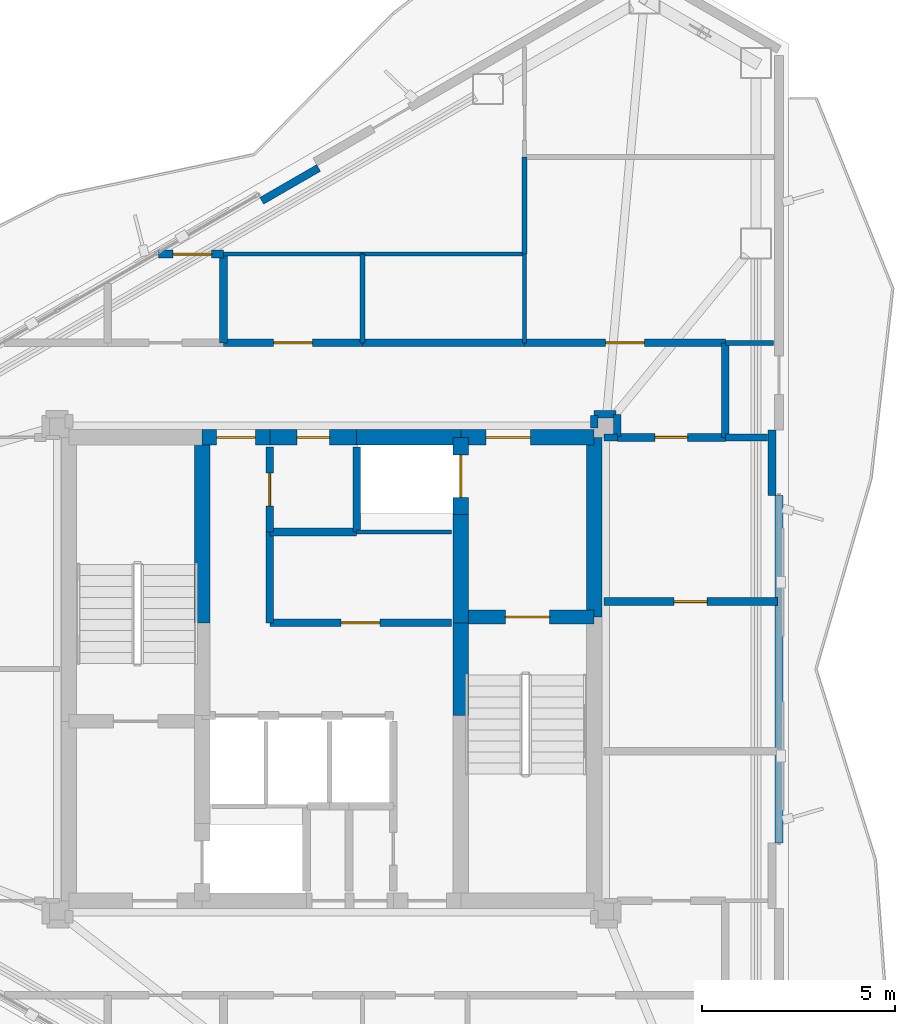
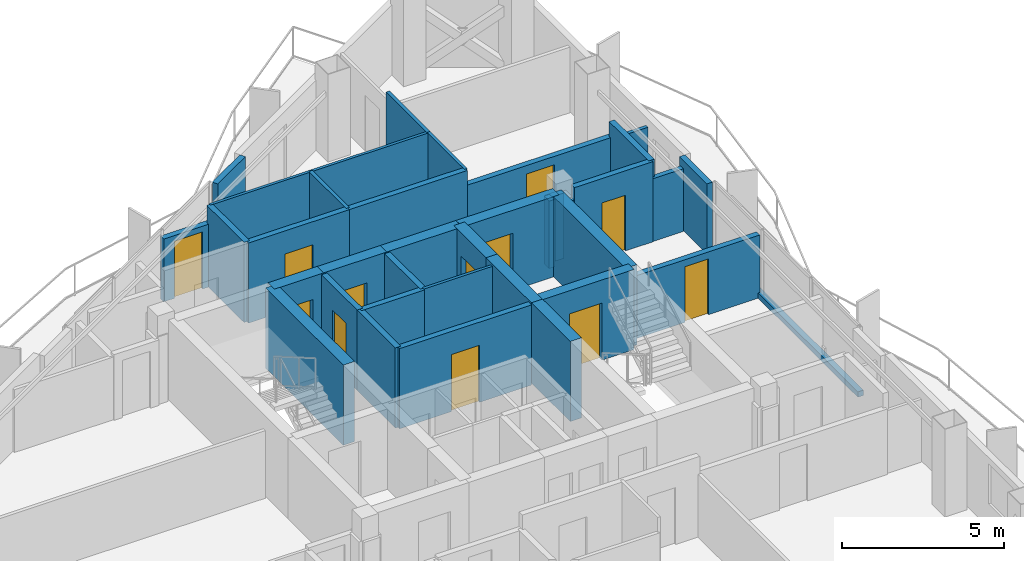
# One storey, part 18 of 21: 38 walls, 12 doors, 12 openings.
"""IFC4 building model written with IfcOpenShell, lengths in metres."""

import ifcopenshell
import ifcopenshell.guid

model = None  # the IFC model being written
_history = None  # IfcOwnerHistory: only IFC2X3 demands one
_inside = {}  # id of a spatial element -> (the spatial element, [elements in it])
_under = {}  # id of a project, library or spatial element -> (it, [spatial elements below it])
_declared = {}  # id of a project -> (the project, [libraries it declares])
_typed = {}  # id of a type object -> (the type object, [elements of that type])
_made_of = {}  # id of a material, layer set ... -> (it, [elements and type objects made of it])


def new_model(schema):
    """Start an empty IFC model of exactly this schema.

    Asked for "IFC4X3", IfcOpenShell would pick the latest addendum, in which some entities
    have other attributes; the version numbers below select the first issue.
    IFC2X3 requires an IfcOwnerHistory on every rooted entity: one is made here for all.
    """
    global model, _history
    if schema == "IFC4X3":
        model = ifcopenshell.file(schema_version=(4, 3, 0, 0))
    else:
        model = ifcopenshell.file(schema=schema)
    _inside.clear()
    _under.clear()
    _declared.clear()
    _typed.clear()
    _made_of.clear()
    _history = None
    if model.schema == "IFC2X3":
        org = make("IfcOrganization", Name="unknown")
        user = make(
            "IfcPersonAndOrganization",
            ThePerson=make("IfcPerson", FamilyName="unknown"),
            TheOrganization=org,
        )
        app = make(
            "IfcApplication",
            ApplicationDeveloper=org,
            Version="unknown",
            ApplicationFullName="unknown",
            ApplicationIdentifier="unknown",
        )
        _history = make(
            "IfcOwnerHistory",
            OwningUser=user,
            OwningApplication=app,
            ChangeAction="ADDED",
            CreationDate=0,
        )
    return model


def make(cls, **values):
    """One entity of the class cls with the attributes given. An attribute that is None is left unset."""
    return model.create_entity(
        cls, **{name: value for name, value in values.items() if value is not None}
    )


def rooted(cls, **values):
    """An entity with a GlobalId (a new one), such as an element, a storey or a relation."""
    return make(cls, GlobalId=ifcopenshell.guid.new(), OwnerHistory=_history, **values)


def si_unit(unit_type, name, prefix=None):
    """IfcSIUnit, for example si_unit("LENGTHUNIT", "METRE", prefix="MILLI")."""
    return make("IfcSIUnit", UnitType=unit_type, Prefix=prefix, Name=name)


def assignment(units):
    """IfcUnitAssignment: the units of a project."""
    return None if units is None else make("IfcUnitAssignment", Units=units)


def point(xyz):
    """IfcCartesianPoint."""
    return None if xyz is None else make("IfcCartesianPoint", Coordinates=xyz)


def direction(xyz):
    """IfcDirection."""
    return None if xyz is None else make("IfcDirection", DirectionRatios=xyz)


def frame(location, z_axis=None, x_axis=None):
    """IfcAxis2Placement3D, a coordinate frame: its origin and axes. An axis left out is left unset."""
    return make(
        "IfcAxis2Placement3D",
        Location=point(location),
        Axis=direction(z_axis),
        RefDirection=direction(x_axis),
    )


def frame_2d(location, x_axis=None):
    """IfcAxis2Placement2D, a coordinate frame in the plane: its origin and x axis."""
    return make(
        "IfcAxis2Placement2D", Location=point(location), RefDirection=direction(x_axis)
    )


def origin():
    """The frame at (0, 0, 0) with its axes left unset."""
    return frame((0.0, 0.0, 0.0))


def place(relative_to, where):
    """IfcLocalPlacement: puts the frame where relative to a parent placement (None: the world)."""
    return make(
        "IfcLocalPlacement", PlacementRelTo=relative_to, RelativePlacement=where
    )


def context(
    kind, dimensions, precision=None, world=None, true_north=None, identifier=None
):
    """IfcGeometricRepresentationContext, for example the 3D "Model" context."""
    return make(
        "IfcGeometricRepresentationContext",
        ContextIdentifier=identifier,
        ContextType=kind,
        CoordinateSpaceDimension=dimensions,
        Precision=precision,
        WorldCoordinateSystem=world,
        TrueNorth=true_north,
    )


def subcontext(parent, identifier, kind, view, scale=None):
    """IfcGeometricRepresentationSubContext, for example "Body" below "Model"."""
    return make(
        "IfcGeometricRepresentationSubContext",
        ContextIdentifier=identifier,
        ContextType=kind,
        ParentContext=parent,
        TargetScale=scale,
        TargetView=view,
    )


def project(units=None, contexts=None):
    """IfcProject with its units and contexts."""
    return rooted(
        "IfcProject",
        Name="project",
        RepresentationContexts=contexts,
        UnitsInContext=assignment(units),
    )


def spatial(cls, under=None, at=None, **own):
    """A site, building, storey or space (cls), placed at a placement, below another one or the project."""
    s = rooted(cls, ObjectPlacement=at, **own)
    if under is not None:
        _under.setdefault(under.id(), (under, []))[1].append(s)
    return s


def profile(cls, at=None, kind="AREA", **sizes):
    """A parametric profile (cls). Its sizes go by their IFC names, for example OverallWidth=200.0."""
    return make(cls, ProfileType=kind, Position=at, **sizes)


def rectangle(**sizes):
    """IfcRectangleProfileDef."""
    return profile("IfcRectangleProfileDef", **sizes)


def extrude(swept, where, along, depth):
    """IfcExtrudedAreaSolid: the profile swept, set in the frame where, extruded along a direction by depth."""
    return make(
        "IfcExtrudedAreaSolid",
        SweptArea=swept,
        Position=where,
        ExtrudedDirection=direction(along),
        Depth=depth,
    )


def shape(context_of_items, identifier, shape_type, items):
    """IfcShapeRepresentation: the items that make up one representation, for example the "Body"."""
    return make(
        "IfcShapeRepresentation",
        ContextOfItems=context_of_items,
        RepresentationIdentifier=identifier,
        RepresentationType=shape_type,
        Items=items,
    )


def material(Name=None, Category=None):
    """IfcMaterial."""
    return make("IfcMaterial", Name=Name, Category=Category)


def layer(
    of_material, thickness, ventilated=None, Name=None, Category=None, Priority=None
):
    """IfcMaterialLayer: one layer of a wall or slab, of a material (None: an air gap)."""
    return make(
        "IfcMaterialLayer",
        Material=of_material,
        LayerThickness=thickness,
        IsVentilated=ventilated,
        Name=Name,
        Category=Category,
        Priority=Priority,
    )


def layer_set(layers, Name=None):
    """IfcMaterialLayerSet."""
    return make("IfcMaterialLayerSet", MaterialLayers=layers, LayerSetName=Name)


def made_of(thing, what):
    """Note that an element or type object is made of a material, layer set ...; save() writes the relation."""
    if what is not None:
        _made_of.setdefault(what.id(), (what, []))[1].append(thing)
    return thing


def type_object(cls, material=None, **own):
    """A type object (cls), such as IfcWallType, which elements share."""
    return made_of(rooted(cls, **own), material)


def element(
    cls,
    number,
    at=None,
    inside=None,
    cuts=None,
    type_object=None,
    material=None,
    context=None,
    identifier="Body",
    shape_type=None,
    held_by="IfcProductDefinitionShape",
    body=None,
    shapes=None,
    **own,
):
    """One element of the class cls, such as IfcWall. Its Tag is "e" and its number.

    at: its placement. inside: the storey or other place that contains it. cuts: it is an
    opening in that element (IfcRelVoidsElement). A single representation is given by context,
    identifier, shape_type and body (its items); several are given by shapes. held_by: the class
    of the entity that holds the representations. save() writes the other relations.
    """
    e = rooted(cls, Tag="e%d" % number, ObjectPlacement=at, **own)
    if body is not None:
        shapes = [shape(context, identifier, shape_type, body)]
    if shapes is not None:
        e.Representation = make(held_by, Representations=shapes)
    if inside is not None:
        _inside.setdefault(inside.id(), (inside, []))[1].append(e)
    if cuts is not None:
        rooted(
            "IfcRelVoidsElement", RelatingBuildingElement=cuts, RelatedOpeningElement=e
        )
    if type_object is not None:
        _typed.setdefault(type_object.id(), (type_object, []))[1].append(e)
    return made_of(e, material)


def fill(opening, filler):
    """IfcRelFillsElement: the door or window that sits in an opening."""
    return rooted(
        "IfcRelFillsElement",
        RelatingOpeningElement=opening,
        RelatedBuildingElement=filler,
    )


def aggregate(whole, parts):
    """IfcRelAggregates: a whole, such as a stair, and the parts it consists of."""
    return rooted("IfcRelAggregates", RelatingObject=whole, RelatedObjects=parts)


def save(model, path):
    """Write the relations noted so far, then the file.

    IfcRelAggregates (storeys below a building ...), IfcRelContainedInSpatialStructure (elements
    in a storey), IfcRelDefinesByType, IfcRelAssociatesMaterial and IfcRelDeclares: one each for
    every whole, place, type object, material and project.
    """
    for whole, parts in _under.values():
        aggregate(whole, parts)
    for where, things in _inside.values():
        rooted(
            "IfcRelContainedInSpatialStructure",
            RelatedElements=things,
            RelatingStructure=where,
        )
    for kind, things in _typed.values():
        rooted("IfcRelDefinesByType", RelatedObjects=things, RelatingType=kind)
    for what, things in _made_of.values():
        rooted("IfcRelAssociatesMaterial", RelatedObjects=things, RelatingMaterial=what)
    for by, libraries in _declared.values():
        rooted("IfcRelDeclares", RelatingContext=by, RelatedDefinitions=libraries)
    model.write(path)


model = new_model("IFC4")

# Units and contexts
model_context = context("Model", 3, precision=1e-05, world=origin(), true_north=direction((0.0, 1.0)))
body_context = subcontext(model_context, "Body", "Model", "MODEL_VIEW")
ifc_project = project(units=[si_unit("LENGTHUNIT", "METRE"), si_unit("AREAUNIT", "SQUARE_METRE"), si_unit("VOLUMEUNIT", "CUBIC_METRE"), si_unit("PLANEANGLEUNIT", "RADIAN"), si_unit("MASSUNIT", "GRAM", prefix="KILO")], contexts=[model_context])

# Site, building, storey
site_placement = place(None, origin())
site = spatial("IfcSite", under=ifc_project, at=site_placement, CompositionType="ELEMENT")
building_placement = place(site_placement, origin())
building = spatial("IfcBuilding", under=site, at=building_placement, Name="Mersakhor Tower and Convention Hall", CompositionType="ELEMENT")
storey_placement = place(building_placement, frame((0.0, 0.0, 215.10009765625)))
storey = spatial("IfcBuildingStorey", under=building, at=storey_placement, Name="L60", CompositionType="ELEMENT", Elevation=215.10009765625)

# Walls
ifc_material_1 = material(Name="Precast concrete C40/50", Category="concrete")
ifc_layer_1 = layer(ifc_material_1, 0.199951171875)
ifc_layer_set_1 = layer_set([ifc_layer_1], Name="Precast concrete C40/50")
wall_type_1 = type_object("IfcWallType", Name="WL-PAR-200", PredefinedType="PARAPET", material=ifc_layer_set_1)
wall_1_placement = place(storey_placement, frame((27.1923828125, 38.879638671875, 0.0), z_axis=(0.0, 0.0, 1.0), x_axis=(0.866025371046, 0.500000056704, 0.0)))
element("IfcWall", 1, at=wall_1_placement, inside=storey, type_object=wall_type_1, Name="L60 Column Pier Cladding Wall F1-C2", PredefinedType="PARAPET", context=body_context, shape_type="SweptSolid", body=[
    extrude(rectangle(XDim=1.7001953125, YDim=0.199951171875, at=frame_2d((0.85009765625, 0.0))), origin(), (0.0, 0.0, 1.0), 2.639892578125),
])
wall_2_placement = place(storey_placement, frame((40.58837890625, 31.24951171875, 0.0), z_axis=(0.0, 0.0, 1.0), x_axis=(0.0, -1.0, 0.0)))
element("IfcWall", 2, at=wall_2_placement, inside=storey, type_object=wall_type_1, Name="L60 Curtain Wall Upstand Sill F2-B2", PredefinedType="PARAPET", context=body_context, shape_type="SweptSolid", body=[
    extrude(rectangle(XDim=8.9990234375, YDim=0.199951171875, at=frame_2d((4.49951171875, 0.0))), origin(), (0.0, 0.0, 1.0), 0.199951171875),
])
wall_3_placement = place(storey_placement, frame((40.408447265625, 32.949462890625, 0.0), z_axis=(0.0, 0.0, 1.0), x_axis=(0.0, -1.0, 0.0)))
element("IfcWall", 3, at=wall_3_placement, inside=storey, type_object=wall_type_1, Name="L60 Column Pier Cladding Wall F2-C1", PredefinedType="PARAPET", context=body_context, shape_type="SweptSolid", body=[
    extrude(rectangle(XDim=1.699951171875, YDim=0.199951171875, at=frame_2d((0.85009765625, 0.0))), origin(), (0.0, 0.0, 1.0), 2.639892578125),
])
ifc_material_2 = material(Name="Moisture-resistant acoustic drywall studwork", Category="other")
ifc_layer_2 = layer(ifc_material_2, 0.175048828125)
ifc_layer_set_2 = layer_set([ifc_layer_2], Name="Moisture-resistant acoustic drywall studwork")
wall_type_2 = type_object("IfcWallType", Name="WL-PLM-175", PredefinedType="PLUMBINGWALL", material=ifc_layer_set_2)
wall_4_placement = place(storey_placement, frame((36.050048828125, 32.75, 0.0), z_axis=(0.0, 0.0, 1.0), x_axis=(1.0, 0.0, 0.0)))
element("IfcWall", 4, at=wall_4_placement, inside=storey, type_object=wall_type_2, Name="L60 Interior Partition Wall P-046", PredefinedType="PLUMBINGWALL", context=body_context, shape_type="SweptSolid", body=[
    extrude(rectangle(XDim=0.349853515625, YDim=0.175048828125, at=frame_2d((0.1748046875, 0.0))), origin(), (0.0, 0.0, 1.0), 2.544921875),
])
wall_5_placement = place(storey_placement, frame((39.199951171875, 32.75, 0.0), z_axis=(0.0, 0.0, 1.0), x_axis=(1.0, 0.0, 0.0)))
element("IfcWall", 5, at=wall_5_placement, inside=storey, type_object=wall_type_2, Name="L60 Interior Partition Wall P-047", PredefinedType="PLUMBINGWALL", context=body_context, shape_type="SweptSolid", body=[
    extrude(rectangle(XDim=1.08447265625, YDim=0.175048828125, at=frame_2d((0.542236328125, 0.0))), origin(), (0.0, 0.0, 1.0), 2.364990234375),
])
ifc_material_3 = material(Name="Lightweight gypsum partition", Category="other")
ifc_layer_3 = layer(ifc_material_3, 0.10009765625)
ifc_layer_set_3 = layer_set([ifc_layer_3], Name="Lightweight gypsum partition")
wall_type_3 = type_object("IfcWallType", Name="WL-PRT-100", PredefinedType="PARTITIONING", material=ifc_layer_set_3)
wall_6_placement = place(storey_placement, frame((32.10009765625, 30.300048828125, 0.0), z_axis=(0.0, 0.0, 1.0), x_axis=(-1.0, 0.0, 0.0)))
element("IfcWall", 6, at=wall_6_placement, inside=storey, type_object=wall_type_3, Name="L60 Interior Partition Wall P-004", PredefinedType="PARTITIONING", context=body_context, shape_type="SweptSolid", body=[
    extrude(rectangle(XDim=2.4501953125, YDim=0.10009765625, at=frame_2d((1.22509765625, 0.0))), origin(), (0.0, 0.0, 1.0), 3.02001953125),
])
wall_7_placement = place(storey_placement, frame((26.199951171875, 37.5, 0.0), z_axis=(0.0, 0.0, 1.0), x_axis=(1.0, 0.0, 0.0)))
element("IfcWall", 7, at=wall_7_placement, inside=storey, type_object=wall_type_3, Name="L60 Interior Partition Wall P-064", PredefinedType="PARTITIONING", context=body_context, shape_type="SweptSolid", body=[
    extrude(rectangle(XDim=3.60009765625, YDim=0.10009765625, at=frame_2d((1.800048828125, 0.0))), origin(), (0.0, 0.0, 1.0), 3.02001953125),
])
wall_8_placement = place(storey_placement, frame((34.0, 37.5, 0.0), z_axis=(0.0, 0.0, 1.0), x_axis=(-1.0, 0.0, 0.0)))
element("IfcWall", 8, at=wall_8_placement, inside=storey, type_object=wall_type_3, Name="L60 Interior Partition Wall P-068", PredefinedType="PARTITIONING", context=body_context, shape_type="SweptSolid", body=[
    extrude(rectangle(XDim=4.199951171875, YDim=0.10009765625, at=frame_2d((2.10009765625, 0.0))), origin(), (0.0, 0.0, 1.0), 3.02001953125),
])
wall_9_placement = place(storey_placement, frame((34.0, 35.199951171875, 0.0), z_axis=(0.0, 0.0, 1.0), x_axis=(0.0, 1.0, 0.0)))
element("IfcWall", 9, at=wall_9_placement, inside=storey, type_object=wall_type_3, Name="L60 Interior Partition Wall P-070", PredefinedType="PARTITIONING", context=body_context, shape_type="SweptSolid", body=[
    extrude(rectangle(XDim=2.300048828125, YDim=0.10009765625, at=frame_2d((1.14990234375, 0.0))), origin(), (0.0, 0.0, 1.0), 3.02001953125),
])
ifc_material_4 = material(Name="Gypsum board acoustic partition", Category="other")
ifc_layer_4 = layer(ifc_material_4, 0.125)
ifc_layer_set_4 = layer_set([ifc_layer_4], Name="Gypsum board acoustic partition")
wall_type_4 = type_object("IfcWallType", Name="WL-PRT-125", PredefinedType="PARTITIONING", material=ifc_layer_set_4)
wall_10_placement = place(storey_placement, frame((29.800048828125, 37.5, 0.0), z_axis=(0.0, 0.0, 1.0), x_axis=(0.0, -1.0, 0.0)))
element("IfcWall", 10, at=wall_10_placement, inside=storey, type_object=wall_type_4, Name="L60 Interior Partition Wall P-065", PredefinedType="PARTITIONING", context=body_context, shape_type="SweptSolid", body=[
    extrude(rectangle(XDim=2.300048828125, YDim=0.125, at=frame_2d((1.14990234375, 0.0))), origin(), (0.0, 0.0, 1.0), 3.02001953125),
])
wall_11_placement = place(storey_placement, frame((34.0, 40.010009765625, 0.0), z_axis=(0.0, 0.0, 1.0), x_axis=(0.0, -1.0, 0.0)))
element("IfcWall", 11, at=wall_11_placement, inside=storey, type_object=wall_type_4, Name="L60 Interior Partition Wall P-067", PredefinedType="PARTITIONING", context=body_context, shape_type="SweptSolid", body=[
    extrude(rectangle(XDim=2.510009765625, YDim=0.125, at=frame_2d((1.2548828125, 0.0))), origin(), (0.0, 0.0, 1.0), 3.02001953125),
])
wall_12_placement = place(storey_placement, frame((40.451904296875, 35.199951171875, 0.0), z_axis=(0.0, 0.0, 1.0), x_axis=(-1.0, 0.0, 0.0)))
element("IfcWall", 12, at=wall_12_placement, inside=storey, type_object=wall_type_4, Name="L60 Interior Partition Wall P-069", PredefinedType="PARTITIONING", context=body_context, shape_type="SweptSolid", body=[
    extrude(rectangle(XDim=1.251953125, YDim=0.125, at=frame_2d((0.6259765625, 0.0))), origin(), (0.0, 0.0, 1.0), 2.364990234375),
])
ifc_material_5 = material(Name="Acoustic concrete blockwork and gypsum board", Category="masonry")
ifc_layer_5 = layer(ifc_material_5, 0.199951171875)
ifc_layer_set_5 = layer_set([ifc_layer_5], Name="Acoustic concrete blockwork and gypsum board")
wall_type_5 = type_object("IfcWallType", Name="WL-PRT-200", PredefinedType="PARTITIONING", material=ifc_layer_set_5)
wall_13_placement = place(storey_placement, frame((29.64990234375, 30.300048828125, 0.0), z_axis=(0.0, 0.0, 1.0), x_axis=(0.0, 1.0, 0.0)))
element("IfcWall", 13, at=wall_13_placement, inside=storey, type_object=wall_type_5, Name="L60 Interior Partition Wall P-005", PredefinedType="PARTITIONING", context=body_context, shape_type="SweptSolid", body=[
    extrude(rectangle(XDim=2.199951171875, YDim=0.199951171875, at=frame_2d((1.10009765625, 0.0))), origin(), (0.0, 0.0, 1.0), 3.02001953125),
])

# Wall, opening, door
wall_14_placement = place(storey_placement, frame((27.39990234375, 32.5, 0.0), z_axis=(0.0, 0.0, 1.0), x_axis=(0.0, -1.0, 0.0)))
wall_14 = element("IfcWall", 14, at=wall_14_placement, inside=storey, type_object=wall_type_5, Name="L60 Interior Partition Wall P-013", PredefinedType="PARTITIONING", context=body_context, shape_type="SweptSolid", body=[
    extrude(rectangle(XDim=2.199951171875, YDim=0.199951171875, at=frame_2d((1.10009765625, 0.0))), origin(), (0.0, 0.0, 1.0), 3.02001953125),
])
opening_1_placement = place(wall_14_placement, frame((0.675048828125, 0.0, 0.0)))
opening_1 = element("IfcOpeningElement", 15, at=opening_1_placement, cuts=wall_14, Name="Opening SVD-01", PredefinedType="OPENING", context=body_context, shape_type="SweptSolid", body=[
    extrude(rectangle(XDim=0.85009765625, YDim=2.10009765625, at=frame_2d((0.425048828125, 1.050048828125))), frame((0.0, 0.10986328125, 0.0), z_axis=(0.0, -1.0, 0.0), x_axis=(1.0, 0.0, 0.0)), (0.0, 0.0, 1.0), 0.219970703125),
])
ifc_material_6 = material(Name="Fire-rated hardwood leaf and painted steel frame", Category="steel")
door_type_1 = type_object("IfcDoorType", Name="DR-INT-SVC-085x210", OperationType="NOTDEFINED", PredefinedType="DOOR", material=ifc_material_6)
door_1_placement = place(opening_1_placement, origin())
door_1 = element("IfcDoor", 16, at=door_1_placement, inside=storey, type_object=door_type_1, Name="L60 Central Passenger Lift Lobby to High-Zone Telecoms Room Door", OperationType="SINGLE_SWING_LEFT", OverallHeight=2.10009765625, OverallWidth=0.85009765625, PredefinedType="DOOR", context=body_context, shape_type="SweptSolid", body=[
    extrude(rectangle(XDim=0.85009765625, YDim=2.10009765625, at=frame_2d((0.425048828125, 1.050048828125))), frame((0.0, 0.02490234375, 0.0), z_axis=(0.0, -1.0, 0.0), x_axis=(1.0, 0.0, 0.0)), (0.0, 0.0, 1.0), 0.050048828125),
])
fill(opening_1, door_1)

# Wall
wall_15_placement = place(storey_placement, frame((27.39990234375, 30.300048828125, 0.0), z_axis=(0.0, 0.0, 1.0), x_axis=(0.0, -1.0, 0.0)))
element("IfcWall", 17, at=wall_15_placement, inside=storey, type_object=wall_type_5, Name="L60 Interior Partition Wall P-014", PredefinedType="PARTITIONING", context=body_context, shape_type="SweptSolid", body=[
    extrude(rectangle(XDim=2.35009765625, YDim=0.199951171875, at=frame_2d((1.175048828125, 0.0))), origin(), (0.0, 0.0, 1.0), 3.02001953125),
])

# Wall, opening, door
wall_16_placement = place(storey_placement, frame((27.39990234375, 27.949951171875, 0.0), z_axis=(0.0, 0.0, 1.0), x_axis=(1.0, 0.0, 0.0)))
wall_16 = element("IfcWall", 18, at=wall_16_placement, inside=storey, type_object=wall_type_5, Name="L60 Interior Partition Wall P-015", PredefinedType="PARTITIONING", context=body_context, shape_type="SweptSolid", body=[
    extrude(rectangle(XDim=4.7001953125, YDim=0.199951171875, at=frame_2d((2.35009765625, 0.0))), origin(), (0.0, 0.0, 1.0), 3.02001953125),
])
opening_2_placement = place(wall_16_placement, frame((1.85009765625, 0.0, 0.0)))
opening_2 = element("IfcOpeningElement", 19, at=opening_2_placement, cuts=wall_16, Name="Opening FD-01", PredefinedType="OPENING", context=body_context, shape_type="SweptSolid", body=[
    extrude(rectangle(XDim=1.0, YDim=2.14990234375, at=frame_2d((0.5, 1.074951171875))), frame((0.0, 0.10986328125, 0.0), z_axis=(0.0, -1.0, 0.0), x_axis=(1.0, 0.0, 0.0)), (0.0, 0.0, 1.0), 0.219970703125),
])
ifc_material_7 = material(Name="Fire-rated hardwood leaf and painted steel frame", Category="steel")
door_type_2 = type_object("IfcDoorType", Name="DR-INT-FLT-100x215", OperationType="NOTDEFINED", PredefinedType="DOOR", material=ifc_material_7)
door_2_placement = place(opening_2_placement, origin())
door_2 = element("IfcDoor", 20, at=door_2_placement, inside=storey, type_object=door_type_2, Name="L60 Central Passenger Lift Lobby to Shared Floor Tea Pantry Door", OperationType="SINGLE_SWING_RIGHT", OverallHeight=2.14990234375, OverallWidth=1.0, PredefinedType="DOOR", context=body_context, shape_type="SweptSolid", body=[
    extrude(rectangle(XDim=1.0, YDim=2.14990234375, at=frame_2d((0.5, 1.074951171875))), frame((0.0, 0.02490234375, 0.0), z_axis=(0.0, -1.0, 0.0), x_axis=(1.0, 0.0, 0.0)), (0.0, 0.0, 1.0), 0.050048828125),
])
fill(opening_2, door_2)

# Wall
wall_17_placement = place(storey_placement, frame((39.199951171875, 35.199951171875, 0.0), z_axis=(0.0, 0.0, 1.0), x_axis=(0.0, -1.0, 0.0)))
element("IfcWall", 21, at=wall_17_placement, inside=storey, type_object=wall_type_5, Name="L60 Interior Partition Wall P-016", PredefinedType="PARTITIONING", context=body_context, shape_type="SweptSolid", body=[
    extrude(rectangle(XDim=2.449951171875, YDim=0.199951171875, at=frame_2d((1.22509765625, 0.0))), origin(), (0.0, 0.0, 1.0), 3.02001953125),
])

# Wall, opening, door
wall_18_placement = place(storey_placement, frame((39.199951171875, 32.75, 0.0), z_axis=(0.0, 0.0, 1.0), x_axis=(-1.0, 0.0, 0.0)))
wall_18 = element("IfcWall", 22, at=wall_18_placement, inside=storey, type_object=wall_type_5, Name="L60 Interior Partition Wall P-017", PredefinedType="PARTITIONING", context=body_context, shape_type="SweptSolid", body=[
    extrude(rectangle(XDim=2.800048828125, YDim=0.199951171875, at=frame_2d((1.39990234375, 0.0))), origin(), (0.0, 0.0, 1.0), 3.02001953125),
])
opening_3_placement = place(wall_18_placement, frame((0.97509765625, 0.0, 0.0)))
opening_3 = element("IfcOpeningElement", 23, at=opening_3_placement, cuts=wall_18, Name="Opening SVD-01", PredefinedType="OPENING", context=body_context, shape_type="SweptSolid", body=[
    extrude(rectangle(XDim=0.85009765625, YDim=2.10009765625, at=frame_2d((0.425048828125, 1.050048828125))), frame((0.0, 0.10986328125, 0.0), z_axis=(0.0, -1.0, 0.0), x_axis=(1.0, 0.0, 0.0)), (0.0, 0.0, 1.0), 0.219970703125),
])
door_3_placement = place(opening_3_placement, origin())
door_3 = element("IfcDoor", 24, at=door_3_placement, inside=storey, type_object=door_type_1, Name="L60 Residential North Gallery Corridor to L60 East Wing Public Restroom WC Door", OperationType="SINGLE_SWING_LEFT", OverallHeight=2.10009765625, OverallWidth=0.85009765625, PredefinedType="DOOR", context=body_context, shape_type="SweptSolid", body=[
    extrude(rectangle(XDim=0.85009765625, YDim=2.10009765625, at=frame_2d((0.425048828125, 1.050048828125))), frame((0.0, 0.02490234375, 0.0), z_axis=(0.0, -1.0, 0.0), x_axis=(1.0, 0.0, 0.0)), (0.0, 0.0, 1.0), 0.050048828125),
])
fill(opening_3, door_3)

# Walls
for number, where, z_axis, x_axis, name in (
    (25, (36.39990234375, 32.780029296875, 0.0), (0.0, 0.0, 1.0), (0.0, 1.0, 0.0), "L60 Interior Partition Wall P-018"),
    (26, (36.3701171875, 33.35009765625, 0.0), (0.0, 0.0, 1.0), (-1.0, 0.0, 0.0), "L60 Interior Partition Wall P-019"),
):
    element("IfcWall", number, at=place(storey_placement, frame(where, z_axis=z_axis, x_axis=x_axis)), inside=storey, type_object=wall_type_5, Name=name, PredefinedType="PARTITIONING", context=body_context, shape_type="SweptSolid", body=[
        extrude(rectangle(XDim=0.570068359375, YDim=0.199951171875, at=frame_2d((0.28515625, 0.0))), origin(), (0.0, 0.0, 1.0), 2.46826171875),
    ])
wall_19_placement = place(storey_placement, frame((35.800048828125, 33.320068359375, 0.0), z_axis=(0.0, 0.0, 1.0), x_axis=(0.0, -1.0, 0.0)))
element("IfcWall", 27, at=wall_19_placement, inside=storey, type_object=wall_type_5, Name="L60 Interior Partition Wall P-020", PredefinedType="PARTITIONING", context=body_context, shape_type="SweptSolid", body=[
    extrude(rectangle(XDim=0.320068359375, YDim=0.199951171875, at=frame_2d((0.16015625, 0.0))), origin(), (0.0, 0.0, 1.0), 2.544921875),
])

# Wall, opening, door
wall_20_placement = place(storey_placement, frame((26.199951171875, 35.199951171875, 0.0), z_axis=(0.0, 0.0, 1.0), x_axis=(1.0, 0.0, 0.0)))
wall_20 = element("IfcWall", 28, at=wall_20_placement, inside=storey, type_object=wall_type_5, Name="L60 Interior Partition Wall P-028", PredefinedType="PARTITIONING", context=body_context, shape_type="SweptSolid", body=[
    extrude(rectangle(XDim=3.60009765625, YDim=0.199951171875, at=frame_2d((1.800048828125, 0.0))), origin(), (0.0, 0.0, 1.0), 3.02001953125),
])
opening_4_placement = place(wall_20_placement, frame((1.300048828125, 0.0, 0.0)))
opening_4 = element("IfcOpeningElement", 29, at=opening_4_placement, cuts=wall_20, Name="Opening FD-01", PredefinedType="OPENING", context=body_context, shape_type="SweptSolid", body=[
    extrude(rectangle(XDim=1.0, YDim=2.14990234375, at=frame_2d((0.5, 1.074951171875))), frame((0.0, 0.10986328125, 0.0), z_axis=(0.0, -1.0, 0.0), x_axis=(1.0, 0.0, 0.0)), (0.0, 0.0, 1.0), 0.219970703125),
])
door_4_placement = place(opening_4_placement, origin())
door_4 = element("IfcDoor", 30, at=door_4_placement, inside=storey, type_object=door_type_2, Name="L60 Residential North Gallery Corridor to L60 Floor Shared Tea Pantry 1-2 Door", OperationType="SINGLE_SWING_LEFT", OverallHeight=2.14990234375, OverallWidth=1.0, PredefinedType="DOOR", context=body_context, shape_type="SweptSolid", body=[
    extrude(rectangle(XDim=1.0, YDim=2.14990234375, at=frame_2d((0.5, 1.074951171875))), frame((0.0, 0.02490234375, 0.0), z_axis=(0.0, -1.0, 0.0), x_axis=(1.0, 0.0, 0.0)), (0.0, 0.0, 1.0), 0.050048828125),
])
fill(opening_4, door_4)

# Wall
wall_21_placement = place(storey_placement, frame((29.800048828125, 35.199951171875, 0.0), z_axis=(0.0, 0.0, 1.0), x_axis=(1.0, 0.0, 0.0)))
element("IfcWall", 31, at=wall_21_placement, inside=storey, type_object=wall_type_5, Name="L60 Interior Partition Wall P-029", PredefinedType="PARTITIONING", context=body_context, shape_type="SweptSolid", body=[
    extrude(rectangle(XDim=4.199951171875, YDim=0.199951171875, at=frame_2d((2.10009765625, 0.0))), origin(), (0.0, 0.0, 1.0), 3.02001953125),
])

# Wall, opening, door
wall_22_placement = place(storey_placement, frame((34.0, 35.199951171875, 0.0), z_axis=(0.0, 0.0, 1.0), x_axis=(1.0, 0.0, 0.0)))
wall_22 = element("IfcWall", 32, at=wall_22_placement, inside=storey, type_object=wall_type_5, Name="L60 Interior Partition Wall P-030", PredefinedType="PARTITIONING", context=body_context, shape_type="SweptSolid", body=[
    extrude(rectangle(XDim=5.199951171875, YDim=0.199951171875, at=frame_2d((2.60009765625, 0.0))), origin(), (0.0, 0.0, 1.0), 2.46826171875),
])
opening_5_placement = place(wall_22_placement, frame((2.10009765625, 0.0, 0.0)))
opening_5 = element("IfcOpeningElement", 33, at=opening_5_placement, cuts=wall_22, Name="Opening FD-01", PredefinedType="OPENING", context=body_context, shape_type="SweptSolid", body=[
    extrude(rectangle(XDim=1.0, YDim=2.14990234375, at=frame_2d((0.5, 1.074951171875))), frame((0.0, 0.10986328125, 0.0), z_axis=(0.0, -1.0, 0.0), x_axis=(1.0, 0.0, 0.0)), (0.0, 0.0, 1.0), 0.219970703125),
])
door_5_placement = place(opening_5_placement, origin())
door_5 = element("IfcDoor", 34, at=door_5_placement, inside=storey, type_object=door_type_2, Name="L60 Residential North Gallery Corridor to L60 Floor Residents Study Room 1-4 Door", OperationType="SINGLE_SWING_RIGHT", OverallHeight=2.14990234375, OverallWidth=1.0, PredefinedType="DOOR", context=body_context, shape_type="SweptSolid", body=[
    extrude(rectangle(XDim=1.0, YDim=2.14990234375, at=frame_2d((0.5, 1.074951171875))), frame((0.0, 0.02490234375, 0.0), z_axis=(0.0, -1.0, 0.0), x_axis=(1.0, 0.0, 0.0)), (0.0, 0.0, 1.0), 0.050048828125),
])
fill(opening_5, door_5)

wall_23_placement = place(storey_placement, frame((40.55029296875, 28.5, 0.0), z_axis=(0.0, 0.0, 1.0), x_axis=(-1.0, 0.0, 0.0)))
wall_23 = element("IfcWall", 35, at=wall_23_placement, inside=storey, type_object=wall_type_5, Name="L60 Interior Partition Wall P-048", PredefinedType="PARTITIONING", context=body_context, shape_type="SweptSolid", body=[
    extrude(rectangle(XDim=4.500244140625, YDim=0.199951171875, at=frame_2d((2.25, 0.0))), origin(), (0.0, 0.0, 1.0), 2.364990234375),
])
opening_6_placement = place(wall_23_placement, frame((1.8251953125, 0.0, 0.0)))
opening_6 = element("IfcOpeningElement", 36, at=opening_6_placement, cuts=wall_23, Name="Opening SVD-01", PredefinedType="OPENING", context=body_context, shape_type="SweptSolid", body=[
    extrude(rectangle(XDim=0.85009765625, YDim=2.10009765625, at=frame_2d((0.425048828125, 1.050048828125))), frame((0.0, 0.10986328125, 0.0), z_axis=(0.0, -1.0, 0.0), x_axis=(1.0, 0.0, 0.0)), (0.0, 0.0, 1.0), 0.219970703125),
])
door_6_placement = place(opening_6_placement, origin())
door_6 = element("IfcDoor", 37, at=door_6_placement, inside=storey, type_object=door_type_1, Name="L60 L60 East Wing Public Restroom WC to L60 East Wing Linen Store Room Door", OperationType="SINGLE_SWING_LEFT", OverallHeight=2.10009765625, OverallWidth=0.85009765625, PredefinedType="DOOR", context=body_context, shape_type="SweptSolid", body=[
    extrude(rectangle(XDim=0.85009765625, YDim=2.10009765625, at=frame_2d((0.425048828125, 1.050048828125))), frame((0.0, 0.02490234375, 0.0), z_axis=(0.0, -1.0, 0.0), x_axis=(1.0, 0.0, 0.0)), (0.0, 0.0, 1.0), 0.050048828125),
])
fill(opening_6, door_6)

# Wall
wall_24_placement = place(storey_placement, frame((27.39990234375, 30.300048828125, 0.0), z_axis=(0.0, 0.0, 1.0), x_axis=(1.0, 0.0, 0.0)))
element("IfcWall", 38, at=wall_24_placement, inside=storey, type_object=wall_type_5, Name="L60 Interior Partition Wall P-049", PredefinedType="PARTITIONING", context=body_context, shape_type="SweptSolid", body=[
    extrude(rectangle(XDim=2.25, YDim=0.199951171875, at=frame_2d((1.125, 0.0))), origin(), (0.0, 0.0, 1.0), 3.02001953125),
])

# Wall, opening, door
wall_25_placement = place(storey_placement, frame((24.51171875, 37.5, 0.0), z_axis=(0.0, 0.0, 1.0), x_axis=(1.0, 0.0, 0.0)))
wall_25 = element("IfcWall", 39, at=wall_25_placement, inside=storey, type_object=wall_type_5, Name="L60 Interior Partition Wall P-061", PredefinedType="PARTITIONING", context=body_context, shape_type="SweptSolid", body=[
    extrude(rectangle(XDim=1.688232421875, YDim=0.199951171875, at=frame_2d((0.84423828125, 0.0))), origin(), (0.0, 0.0, 1.0), 2.364990234375),
])
opening_7_placement = place(wall_25_placement, frame((0.3837890625, 0.0, 0.0)))
opening_7 = element("IfcOpeningElement", 40, at=opening_7_placement, cuts=wall_25, Name="Opening FD-01", PredefinedType="OPENING", context=body_context, shape_type="SweptSolid", body=[
    extrude(rectangle(XDim=1.0, YDim=2.14990234375, at=frame_2d((0.5, 1.074951171875))), frame((0.0, 0.10986328125, 0.0), z_axis=(0.0, -1.0, 0.0), x_axis=(1.0, 0.0, 0.0)), (0.0, 0.0, 1.0), 0.219970703125),
])
door_7_placement = place(opening_7_placement, origin())
door_7 = element("IfcDoor", 41, at=door_7_placement, inside=storey, type_object=door_type_2, Name="L60 L60 Floor Household Store Room 1-1 to L60 Floor Residents Study Room 1-3 Door", OperationType="SINGLE_SWING_RIGHT", OverallHeight=2.14990234375, OverallWidth=1.0, PredefinedType="DOOR", context=body_context, shape_type="SweptSolid", body=[
    extrude(rectangle(XDim=1.0, YDim=2.14990234375, at=frame_2d((0.5, 1.074951171875))), frame((0.0, 0.02490234375, 0.0), z_axis=(0.0, -1.0, 0.0), x_axis=(1.0, 0.0, 0.0)), (0.0, 0.0, 1.0), 0.050048828125),
])
fill(opening_7, door_7)

# Wall
wall_26_placement = place(storey_placement, frame((26.199951171875, 37.5, 0.0), z_axis=(0.0, 0.0, 1.0), x_axis=(0.0, -1.0, 0.0)))
element("IfcWall", 42, at=wall_26_placement, inside=storey, type_object=wall_type_5, Name="L60 Interior Partition Wall P-062", PredefinedType="PARTITIONING", context=body_context, shape_type="SweptSolid", body=[
    extrude(rectangle(XDim=2.300048828125, YDim=0.199951171875, at=frame_2d((1.14990234375, 0.0))), origin(), (0.0, 0.0, 1.0), 3.02001953125),
])

# Wall, opening, door
ifc_material_8 = material(Name="Concrete C50/60", Category="concrete")
ifc_layer_6 = layer(ifc_material_8, 0.35009765625)
ifc_layer_set_6 = layer_set([ifc_layer_6], Name="Concrete C50/60")
wall_type_6 = type_object("IfcWallType", Name="WL-SHR-350", PredefinedType="SHEAR", material=ifc_layer_set_6)
wall_27_placement = place(storey_placement, frame((32.35009765625, 28.10009765625, 0.0), z_axis=(0.0, 0.0, 1.0), x_axis=(1.0, 0.0, 0.0)))
wall_27 = element("IfcWall", 43, at=wall_27_placement, inside=storey, type_object=wall_type_6, Name="L60 Core Wall CS-ST2-N", PredefinedType="SHEAR", context=body_context, shape_type="SweptSolid", body=[
    extrude(rectangle(XDim=3.449951171875, YDim=0.35009765625, at=frame_2d((1.72509765625, 0.0))), origin(), (0.0, 0.0, 1.0), 3.02001953125),
])
opening_8_placement = place(wall_27_placement, frame((1.14990234375, 0.0, 0.0)))
opening_8 = element("IfcOpeningElement", 44, at=opening_8_placement, cuts=wall_27, Name="Opening SD-01", PredefinedType="OPENING", context=body_context, shape_type="SweptSolid", body=[
    extrude(rectangle(XDim=1.14990234375, YDim=2.14990234375, at=frame_2d((0.574951171875, 1.074951171875))), frame((0.0, 0.18505859375, 0.0), z_axis=(0.0, -1.0, 0.0), x_axis=(1.0, 0.0, 0.0)), (0.0, 0.0, 1.0), 0.3701171875),
])
ifc_material_9 = material(Name="Fire-rated hardwood leaf and painted steel frame", Category="steel")
door_type_3 = type_object("IfcDoorType", Name="DR-INT-STAIR-115x215", OperationType="NOTDEFINED", PredefinedType="DOOR", material=ifc_material_9)
door_8_placement = place(opening_8_placement, origin())
door_8 = element("IfcDoor", 45, at=door_8_placement, inside=storey, type_object=door_type_3, Name="L60 Exit Stair ST-2 Enclosure Door", OperationType="SINGLE_SWING_RIGHT", OverallHeight=2.14990234375, OverallWidth=1.14990234375, PredefinedType="DOOR", context=body_context, shape_type="SweptSolid", body=[
    extrude(rectangle(XDim=1.14990234375, YDim=2.14990234375, at=frame_2d((0.574951171875, 1.074951171875))), frame((0.0, 0.02490234375, 0.0), z_axis=(0.0, -1.0, 0.0), x_axis=(1.0, 0.0, 0.0)), (0.0, 0.0, 1.0), 0.050048828125),
])
fill(opening_8, door_8)

ifc_material_10 = material(Name="Concrete C60/75", Category="concrete")
ifc_layer_7 = layer(ifc_material_10, 0.39990234375)
ifc_layer_set_7 = layer_set([ifc_layer_7], Name="Concrete C60/75")
wall_type_7 = type_object("IfcWallType", Name="WL-SHR-400", PredefinedType="SHEAR", material=ifc_layer_set_7)
wall_28_placement = place(storey_placement, frame((25.64990234375, 32.75, 0.0), z_axis=(0.0, 0.0, 1.0), x_axis=(1.0, 0.0, 0.0)))
wall_28 = element("IfcWall", 46, at=wall_28_placement, inside=storey, type_object=wall_type_7, Name="L60 Core Wall CW-N2A", PredefinedType="SHEAR", context=body_context, shape_type="SweptSolid", body=[
    extrude(rectangle(XDim=1.75, YDim=0.39990234375, at=frame_2d((0.875, 0.0))), origin(), (0.0, 0.0, 1.0), 3.02001953125),
])
opening_9_placement = place(wall_28_placement, frame((0.375, 0.0, 0.0)))
opening_9 = element("IfcOpeningElement", 47, at=opening_9_placement, cuts=wall_28, Name="Opening CFD-01", PredefinedType="OPENING", context=body_context, shape_type="SweptSolid", body=[
    extrude(rectangle(XDim=1.0, YDim=2.14990234375, at=frame_2d((0.5, 1.074951171875))), frame((0.0, 0.2099609375, 0.0), z_axis=(0.0, -1.0, 0.0), x_axis=(1.0, 0.0, 0.0)), (0.0, 0.0, 1.0), 0.419921875),
])
ifc_material_11 = material(Name="Fire-rated hardwood leaf and painted steel frame", Category="steel")
door_type_4 = type_object("IfcDoorType", Name="DR-CORE-FD-100x215", OperationType="NOTDEFINED", PredefinedType="DOOR", material=ifc_material_11)
door_9_placement = place(opening_9_placement, origin())
door_9 = element("IfcDoor", 48, at=door_9_placement, inside=storey, type_object=door_type_4, Name="L60 Lift Lobby North Corridor Door", OperationType="SINGLE_SWING_LEFT", OverallHeight=2.14990234375, OverallWidth=1.0, PredefinedType="DOOR", context=body_context, shape_type="SweptSolid", body=[
    extrude(rectangle(XDim=1.0, YDim=2.14990234375, at=frame_2d((0.5, 1.074951171875))), frame((0.0, 0.02490234375, 0.0), z_axis=(0.0, -1.0, 0.0), x_axis=(1.0, 0.0, 0.0)), (0.0, 0.0, 1.0), 0.050048828125),
])
fill(opening_9, door_9)

wall_29_placement = place(storey_placement, frame((27.39990234375, 32.75, 0.0), z_axis=(0.0, 0.0, 1.0), x_axis=(1.0, 0.0, 0.0)))
wall_29 = element("IfcWall", 49, at=wall_29_placement, inside=storey, type_object=wall_type_7, Name="L60 Core Wall CW-N2B", PredefinedType="SHEAR", context=body_context, shape_type="SweptSolid", body=[
    extrude(rectangle(XDim=2.25, YDim=0.39990234375, at=frame_2d((1.125, 0.0))), origin(), (0.0, 0.0, 1.0), 3.02001953125),
])
opening_10_placement = place(wall_29_placement, frame((0.699951171875, 0.0, 0.0)))
opening_10 = element("IfcOpeningElement", 50, at=opening_10_placement, cuts=wall_29, Name="Opening SVD-01", PredefinedType="OPENING", context=body_context, shape_type="SweptSolid", body=[
    extrude(rectangle(XDim=0.85009765625, YDim=2.10009765625, at=frame_2d((0.425048828125, 1.050048828125))), frame((0.0, 0.2099609375, 0.0), z_axis=(0.0, -1.0, 0.0), x_axis=(1.0, 0.0, 0.0)), (0.0, 0.0, 1.0), 0.419921875),
])
door_10_placement = place(opening_10_placement, origin())
door_10 = element("IfcDoor", 51, at=door_10_placement, inside=storey, type_object=door_type_1, Name="L60 Residential North Gallery Corridor to High-Zone Telecoms Room Door", OperationType="SINGLE_SWING_RIGHT", OverallHeight=2.10009765625, OverallWidth=0.85009765625, PredefinedType="DOOR", context=body_context, shape_type="SweptSolid", body=[
    extrude(rectangle(XDim=0.85009765625, YDim=2.10009765625, at=frame_2d((0.425048828125, 1.050048828125))), frame((0.0, 0.02490234375, 0.0), z_axis=(0.0, -1.0, 0.0), x_axis=(1.0, 0.0, 0.0)), (0.0, 0.0, 1.0), 0.050048828125),
])
fill(opening_10, door_10)

# Wall
wall_30_placement = place(storey_placement, frame((29.64990234375, 32.75, 0.0), z_axis=(0.0, 0.0, 1.0), x_axis=(1.0, 0.0, 0.0)))
element("IfcWall", 52, at=wall_30_placement, inside=storey, type_object=wall_type_7, Name="L60 Core Wall CW-N3", PredefinedType="SHEAR", context=body_context, shape_type="SweptSolid", body=[
    extrude(rectangle(XDim=2.7001953125, YDim=0.39990234375, at=frame_2d((1.35009765625, 0.0))), origin(), (0.0, 0.0, 1.0), 3.02001953125),
])

# Wall, opening, door
wall_31_placement = place(storey_placement, frame((32.35009765625, 32.75, 0.0), z_axis=(0.0, 0.0, 1.0), x_axis=(1.0, 0.0, 0.0)))
wall_31 = element("IfcWall", 53, at=wall_31_placement, inside=storey, type_object=wall_type_7, Name="L60 Core Wall CW-N4", PredefinedType="SHEAR", context=body_context, shape_type="SweptSolid", body=[
    extrude(rectangle(XDim=3.449951171875, YDim=0.39990234375, at=frame_2d((1.72509765625, 0.0))), origin(), (0.0, 0.0, 1.0), 3.02001953125),
])
opening_11_placement = place(wall_31_placement, frame((0.64990234375, 0.0, 0.0)))
opening_11 = element("IfcOpeningElement", 54, at=opening_11_placement, cuts=wall_31, Name="Opening SD-01", PredefinedType="OPENING", context=body_context, shape_type="SweptSolid", body=[
    extrude(rectangle(XDim=1.14990234375, YDim=2.14990234375, at=frame_2d((0.574951171875, 1.074951171875))), frame((0.0, 0.2099609375, 0.0), z_axis=(0.0, -1.0, 0.0), x_axis=(1.0, 0.0, 0.0)), (0.0, 0.0, 1.0), 0.419921875),
])
door_11_placement = place(opening_11_placement, origin())
door_11 = element("IfcDoor", 55, at=door_11_placement, inside=storey, type_object=door_type_3, Name="L60 Firefighting Lobby East Fire Door", OperationType="SINGLE_SWING_RIGHT", OverallHeight=2.14990234375, OverallWidth=1.14990234375, PredefinedType="DOOR", context=body_context, shape_type="SweptSolid", body=[
    extrude(rectangle(XDim=1.14990234375, YDim=2.14990234375, at=frame_2d((0.574951171875, 1.074951171875))), frame((0.0, 0.02490234375, 0.0), z_axis=(0.0, -1.0, 0.0), x_axis=(1.0, 0.0, 0.0)), (0.0, 0.0, 1.0), 0.050048828125),
])
fill(opening_11, door_11)

# Walls
wall_32_placement = place(storey_placement, frame((35.800048828125, 32.75, 0.0), z_axis=(0.0, 0.0, 1.0), x_axis=(0.0, -1.0, 0.0)))
element("IfcWall", 56, at=wall_32_placement, inside=storey, type_object=wall_type_7, Name="L60 Core Wall CW-E1", PredefinedType="SHEAR", context=body_context, shape_type="SweptSolid", body=[
    extrude(rectangle(XDim=4.64990234375, YDim=0.39990234375, at=frame_2d((2.324951171875, 0.0))), origin(), (0.0, 0.0, 1.0), 3.02001953125),
])
wall_33_placement = place(storey_placement, frame((25.64990234375, 27.949951171875, 0.0), z_axis=(0.0, 0.0, 1.0), x_axis=(0.0, 1.0, 0.0)))
element("IfcWall", 57, at=wall_33_placement, inside=storey, type_object=wall_type_7, Name="L60 Core Wall CS-W-ST1", PredefinedType="SHEAR", context=body_context, shape_type="SweptSolid", body=[
    extrude(rectangle(XDim=4.800048828125, YDim=0.39990234375, at=frame_2d((2.39990234375, 0.0))), origin(), (0.0, 0.0, 1.0), 3.02001953125),
])
wall_34_placement = place(storey_placement, frame((32.35009765625, 25.550048828125, 0.0), z_axis=(0.0, 0.0, 1.0), x_axis=(0.0, 1.0, 0.0)))
element("IfcWall", 58, at=wall_34_placement, inside=storey, type_object=wall_type_7, Name="L60 Core Wall CS-E-LOB", PredefinedType="SHEAR", context=body_context, shape_type="SweptSolid", body=[
    extrude(rectangle(XDim=2.39990234375, YDim=0.39990234375, at=frame_2d((1.199951171875, 0.0))), origin(), (0.0, 0.0, 1.0), 3.02001953125),
])
wall_35_placement = place(storey_placement, frame((32.35009765625, 27.949951171875, 0.0), z_axis=(0.0, 0.0, 1.0), x_axis=(0.0, 1.0, 0.0)))
element("IfcWall", 59, at=wall_35_placement, inside=storey, type_object=wall_type_7, Name="L60 Core Wall CS-E-MID", PredefinedType="SHEAR", context=body_context, shape_type="SweptSolid", body=[
    extrude(rectangle(XDim=2.800048828125, YDim=0.39990234375, at=frame_2d((1.39990234375, 0.0))), origin(), (0.0, 0.0, 1.0), 3.02001953125),
])

# Wall, opening, door
wall_36_placement = place(storey_placement, frame((32.35009765625, 30.75, 0.0), z_axis=(0.0, 0.0, 1.0), x_axis=(0.0, 1.0, 0.0)))
wall_36 = element("IfcWall", 60, at=wall_36_placement, inside=storey, type_object=wall_type_7, Name="L60 Core Wall CS-E-FFL", PredefinedType="SHEAR", context=body_context, shape_type="SweptSolid", body=[
    extrude(rectangle(XDim=2.0, YDim=0.39990234375, at=frame_2d((1.0, 0.0))), origin(), (0.0, 0.0, 1.0), 3.02001953125),
])
opening_12_placement = place(wall_36_placement, frame((0.449951171875, 0.0, 0.0)))
opening_12 = element("IfcOpeningElement", 61, at=opening_12_placement, cuts=wall_36, Name="Opening LD-FFL2", PredefinedType="OPENING", context=body_context, shape_type="SweptSolid", body=[
    extrude(rectangle(XDim=1.10009765625, YDim=2.14990234375, at=frame_2d((0.550048828125, 1.074951171875))), frame((0.0, 0.2099609375, 0.0), z_axis=(0.0, -1.0, 0.0), x_axis=(1.0, 0.0, 0.0)), (0.0, 0.0, 1.0), 0.419921875),
])
ifc_material_12 = material(Name="Fire-rated brushed stainless steel sliding landing door", Category="steel")
door_type_5 = type_object("IfcDoorType", Name="DR-LIFT-SLD-110x215", OperationType="NOTDEFINED", PredefinedType="DOOR", material=ifc_material_12)
door_12_placement = place(opening_12_placement, origin())
door_12 = element("IfcDoor", 62, at=door_12_placement, inside=storey, type_object=door_type_5, Name="L60 Firefighting Lift Landing Door LD-FFL2", OperationType="SLIDING_TO_LEFT", OverallHeight=2.14990234375, OverallWidth=1.10009765625, PredefinedType="DOOR", context=body_context, shape_type="SweptSolid", body=[
    extrude(rectangle(XDim=1.10009765625, YDim=2.14990234375, at=frame_2d((0.550048828125, 1.074951171875))), frame((0.0, 0.02490234375, 0.0), z_axis=(0.0, -1.0, 0.0), x_axis=(1.0, 0.0, 0.0)), (0.0, 0.0, 1.0), 0.050048828125),
])
fill(opening_12, door_12)

save(model, "model.ifc")
